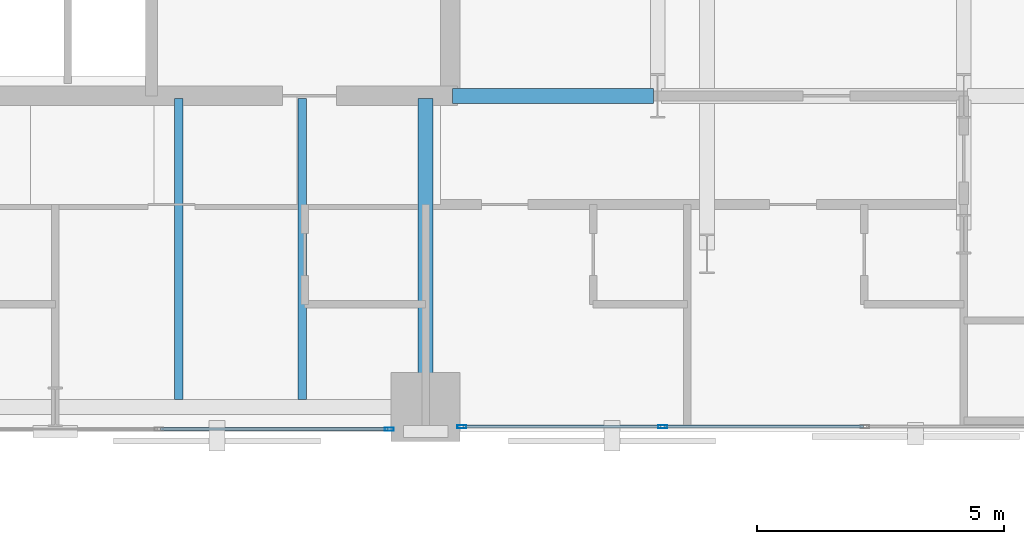
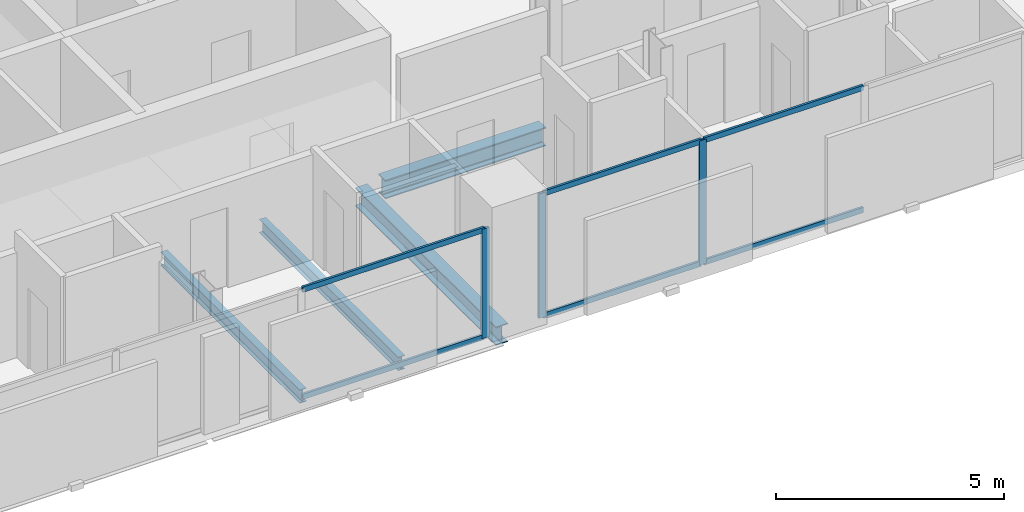
# One storey, part 15 of 32: 9 members, 4 beams, 2 elements without a shape of their own.
"""IFC4 building model written with IfcOpenShell, lengths in metres."""

from ifc_helpers import new_model, si_unit, direction, frame, origin, origin_2d, place, context, subcontext, project, spatial, hollow_rectangle, i_section, extrude, material, layer, layer_set, material_profile, profile_set, type_object, element, aggregate, save


model = new_model("IFC4")

# Units and contexts
model_context = context("Model", 3, precision=1e-05, world=origin(), true_north=direction((0.0, 1.0)))
body_context = subcontext(model_context, "Body", "Model", "MODEL_VIEW")
ifc_project = project(units=[si_unit("LENGTHUNIT", "METRE"), si_unit("AREAUNIT", "SQUARE_METRE"), si_unit("VOLUMEUNIT", "CUBIC_METRE"), si_unit("PLANEANGLEUNIT", "RADIAN"), si_unit("MASSUNIT", "GRAM", prefix="KILO")], contexts=[model_context])

# Site, building, storey
site_placement = place(None, origin())
site = spatial("IfcSite", under=ifc_project, at=site_placement, CompositionType="ELEMENT")
building_placement = place(site_placement, origin())
building = spatial("IfcBuilding", under=site, at=building_placement, Name="Catumbela Crestline Tower", CompositionType="ELEMENT")
storey_placement = place(building_placement, frame((0.0, 0.0, 61.8)))
storey = spatial("IfcBuildingStorey", under=building, at=storey_placement, Name="L15", CompositionType="ELEMENT", Elevation=61.8)

# Beams
ifc_material_1 = material(Name="Structural steel S355J2", Category="steel")
ifc_material_profile_1 = material_profile(ifc_material_1, i_section(OverallWidth=0.3, OverallDepth=0.5, WebThickness=0.0145, FlangeThickness=0.028, FilletRadius=0.027, at=origin_2d()), Name="HEB 500")
ifc_profile_set_1 = profile_set([ifc_material_profile_1], Name="Structural steel S355J2")
beam_type_1 = type_object("IfcBeamType", Name="BG-HEB500", PredefinedType="BEAM", material=ifc_profile_set_1)
beam_1_placement = place(storey_placement, frame((40.05, 30.8, -0.51), z_axis=(1.0, 0.0, 0.0), x_axis=(0.0, 1.0, 0.0)))
element("IfcBeam", 1, at=beam_1_placement, inside=storey, type_object=beam_type_1, Name="L15 Beam BM-L15-M10", PredefinedType="BEAM", context=body_context, shape_type="SweptSolid", body=[
    extrude(i_section(OverallWidth=0.3, OverallDepth=0.5, WebThickness=0.0145, FlangeThickness=0.028, FilletRadius=0.027, at=origin_2d()), origin(), (0.0, 0.0, 1.0), 4.07),
])
beam_2_placement = place(storey_placement, frame((39.5, 24.58, -0.51), z_axis=(0.0, 1.0, 0.0), x_axis=(-1.0, 0.0, 0.0)))
element("IfcBeam", 2, at=beam_2_placement, inside=storey, type_object=beam_type_1, Name="L15 Beam BM-L15-SNS34", PredefinedType="BEAM", context=body_context, shape_type="SweptSolid", body=[
    extrude(i_section(OverallWidth=0.3, OverallDepth=0.5, WebThickness=0.0145, FlangeThickness=0.028, FilletRadius=0.027, at=origin_2d()), origin(), (0.0, 0.0, 1.0), 6.17),
])
ifc_material_profile_2 = material_profile(ifc_material_1, i_section(OverallWidth=0.17, OverallDepth=0.36, WebThickness=0.008, FlangeThickness=0.0127, FilletRadius=0.018, at=origin_2d()), Name="IPE 360")
ifc_profile_set_2 = profile_set([ifc_material_profile_2], Name="Structural steel S355J2")
beam_type_2 = type_object("IfcBeamType", Name="BJ-IPE360", PredefinedType="JOIST", material=ifc_profile_set_2)
for number, where, z_axis, x_axis, name in (
    (3, (34.5, 24.647, -0.44), (0.0, 1.0, 0.0), (-1.0, 0.0, 0.0), "L15 Joist JS-L15-SP46"),
    (4, (37.0, 24.647, -0.44), (0.0, 1.0, 0.0), (-1.0, 0.0, 0.0), "L15 Joist JS-L15-SP47"),
):
    element("IfcBeam", number, at=place(storey_placement, frame(where, z_axis=z_axis, x_axis=x_axis)), inside=storey, type_object=beam_type_2, Name=name, PredefinedType="JOIST", context=body_context, shape_type="SweptSolid", body=[
        extrude(i_section(OverallWidth=0.17, OverallDepth=0.36, WebThickness=0.008, FlangeThickness=0.0127, FilletRadius=0.018, at=origin_2d()), origin(), (0.0, 0.0, 1.0), 6.103),
    ])

# Curtain wall, member
ifc_material_2 = material(Name="Aluminium alloy AW-6060-T66", Category="aluminium")
ifc_layer = layer(ifc_material_2, 0.18, Name="Aluminium alloy AW-6060-T66")
ifc_layer_set = layer_set([ifc_layer], Name="Aluminium alloy AW-6060-T66")
curtain_wall_type = type_object("IfcCurtainWallType", Name="CWU-Z1", PredefinedType="USERDEFINED", material=ifc_layer_set)
curtain_wall_1_placement = place(storey_placement, origin())
curtain_wall_1 = element("IfcCurtainWall", 5, at=curtain_wall_1_placement, inside=storey, type_object=curtain_wall_type, Name="L15 Unitised Curtain Wall CW-L15-E3S1", ObjectType="UNITISED", PredefinedType="USERDEFINED")
ifc_material_profile_3 = material_profile(ifc_material_2, hollow_rectangle(XDim=0.065, YDim=0.18, WallThickness=0.004, at=origin_2d()), Name="ALU 180x65x4")
ifc_profile_set_3 = profile_set([ifc_material_profile_3], Name="Aluminium alloy AW-6060-T66")
member_type_1 = type_object("IfcMemberType", Name="MUL-180X65", PredefinedType="MULLION", material=ifc_profile_set_3)
member_1_placement = place(storey_placement, frame((38.7675, 24.05, 0.0), z_axis=(0.0, 0.0, 1.0), x_axis=(0.0, 1.0, 0.0)))
member_1 = element("IfcMember", 6, at=member_1_placement, type_object=member_type_1, Name="CWU-Z1 mullion 4", PredefinedType="MULLION", context=body_context, shape_type="SweptSolid", body=[
    extrude(hollow_rectangle(XDim=0.065, YDim=0.18, WallThickness=0.004, at=origin_2d()), origin(), (0.0, 0.0, 1.0), 2.93),
])

# Curtain wall, members
curtain_wall_2_placement = place(storey_placement, origin())
curtain_wall_2 = element("IfcCurtainWall", 7, at=curtain_wall_2_placement, inside=storey, type_object=curtain_wall_type, Name="L15 Unitised Curtain Wall CW-L15-E3S2", ObjectType="UNITISED", PredefinedType="USERDEFINED")
member_2_placement = place(storey_placement, frame((40.2325, 24.1, 0.0), z_axis=(0.0, 0.0, 1.0), x_axis=(0.0, 1.0, 0.0)))
member_2 = element("IfcMember", 8, at=member_2_placement, type_object=member_type_1, Name="CWU-Z1 mullion 1", PredefinedType="MULLION", context=body_context, shape_type="SweptSolid", body=[
    extrude(hollow_rectangle(XDim=0.065, YDim=0.18, WallThickness=0.004, at=origin_2d()), origin(), (0.0, 0.0, 1.0), 3.33),
])
member_3_placement = place(storey_placement, frame((44.3, 24.1, 0.0), z_axis=(0.0, 0.0, 1.0), x_axis=(0.0, 1.0, 0.0)))
member_3 = element("IfcMember", 9, at=member_3_placement, type_object=member_type_1, Name="CWU-Z1 mullion 2", PredefinedType="MULLION", context=body_context, shape_type="SweptSolid", body=[
    extrude(hollow_rectangle(XDim=0.065, YDim=0.18, WallThickness=0.004, at=origin_2d()), origin(), (0.0, 0.0, 1.0), 3.33),
])

# Member
ifc_material_profile_4 = material_profile(ifc_material_2, hollow_rectangle(XDim=0.06, YDim=0.14, WallThickness=0.004, at=origin_2d()), Name="ALU 140x60x4")
ifc_profile_set_4 = profile_set([ifc_material_profile_4], Name="Aluminium alloy AW-6060-T66")
member_type_2 = type_object("IfcMemberType", Name="TRN-140X60", PredefinedType="USERDEFINED", material=ifc_profile_set_4)
member_4_placement = place(storey_placement, frame((34.1325, 24.05, 0.03), z_axis=(1.0, 0.0, 0.0), x_axis=(0.0, 1.0, 0.0)))
member_4 = element("IfcMember", 10, at=member_4_placement, type_object=member_type_2, Name="CWU-Z1 transom 3.1", ObjectType="TRANSOM", PredefinedType="USERDEFINED", context=body_context, shape_type="SweptSolid", body=[
    extrude(hollow_rectangle(XDim=0.06, YDim=0.14, WallThickness=0.004, at=origin_2d()), origin(), (0.0, 0.0, 1.0), 4.6025),
])

member_5_placement = place(storey_placement, frame((34.1325, 24.05, 2.9), z_axis=(1.0, 0.0, 0.0), x_axis=(0.0, 1.0, 0.0)))
member_5 = element("IfcMember", 11, at=member_5_placement, type_object=member_type_2, Name="CWU-Z1 transom 3.2", ObjectType="TRANSOM", PredefinedType="USERDEFINED", context=body_context, shape_type="SweptSolid", body=[
    extrude(hollow_rectangle(XDim=0.06, YDim=0.14, WallThickness=0.004, at=origin_2d()), origin(), (0.0, 0.0, 1.0), 4.6025),
])

aggregate(curtain_wall_1, [member_1, member_4, member_5])

member_6_placement = place(storey_placement, frame((40.265, 24.1, 0.03), z_axis=(1.0, 0.0, 0.0), x_axis=(0.0, 1.0, 0.0)))
member_6 = element("IfcMember", 12, at=member_6_placement, type_object=member_type_2, Name="CWU-Z1 transom 1.1", ObjectType="TRANSOM", PredefinedType="USERDEFINED", context=body_context, shape_type="SweptSolid", body=[
    extrude(hollow_rectangle(XDim=0.06, YDim=0.14, WallThickness=0.004, at=origin_2d()), origin(), (0.0, 0.0, 1.0), 4.0025),
])

member_7_placement = place(storey_placement, frame((40.265, 24.1, 3.3), z_axis=(1.0, 0.0, 0.0), x_axis=(0.0, 1.0, 0.0)))
member_7 = element("IfcMember", 13, at=member_7_placement, type_object=member_type_2, Name="CWU-Z1 transom 1.2", ObjectType="TRANSOM", PredefinedType="USERDEFINED", context=body_context, shape_type="SweptSolid", body=[
    extrude(hollow_rectangle(XDim=0.06, YDim=0.14, WallThickness=0.004, at=origin_2d()), origin(), (0.0, 0.0, 1.0), 4.0025),
])

member_8_placement = place(storey_placement, frame((44.3325, 24.1, 0.03), z_axis=(1.0, 0.0, 0.0), x_axis=(0.0, 1.0, 0.0)))
member_8 = element("IfcMember", 14, at=member_8_placement, type_object=member_type_2, Name="CWU-Z1 transom 2.1", ObjectType="TRANSOM", PredefinedType="USERDEFINED", context=body_context, shape_type="SweptSolid", body=[
    extrude(hollow_rectangle(XDim=0.06, YDim=0.14, WallThickness=0.004, at=origin_2d()), origin(), (0.0, 0.0, 1.0), 4.035),
])

member_9_placement = place(storey_placement, frame((44.3325, 24.1, 3.3), z_axis=(1.0, 0.0, 0.0), x_axis=(0.0, 1.0, 0.0)))
member_9 = element("IfcMember", 15, at=member_9_placement, type_object=member_type_2, Name="CWU-Z1 transom 2.2", ObjectType="TRANSOM", PredefinedType="USERDEFINED", context=body_context, shape_type="SweptSolid", body=[
    extrude(hollow_rectangle(XDim=0.06, YDim=0.14, WallThickness=0.004, at=origin_2d()), origin(), (0.0, 0.0, 1.0), 4.035),
])

aggregate(curtain_wall_2, [member_2, member_3, member_6, member_7, member_8, member_9])

save(model, "model.ifc")
